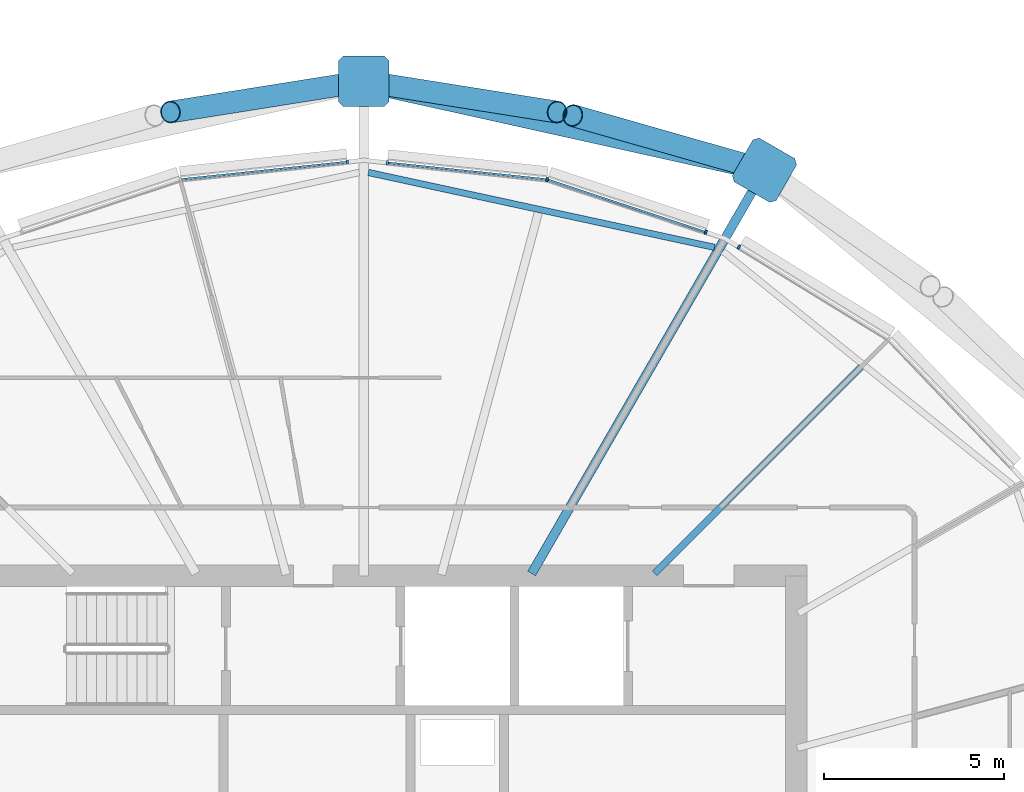
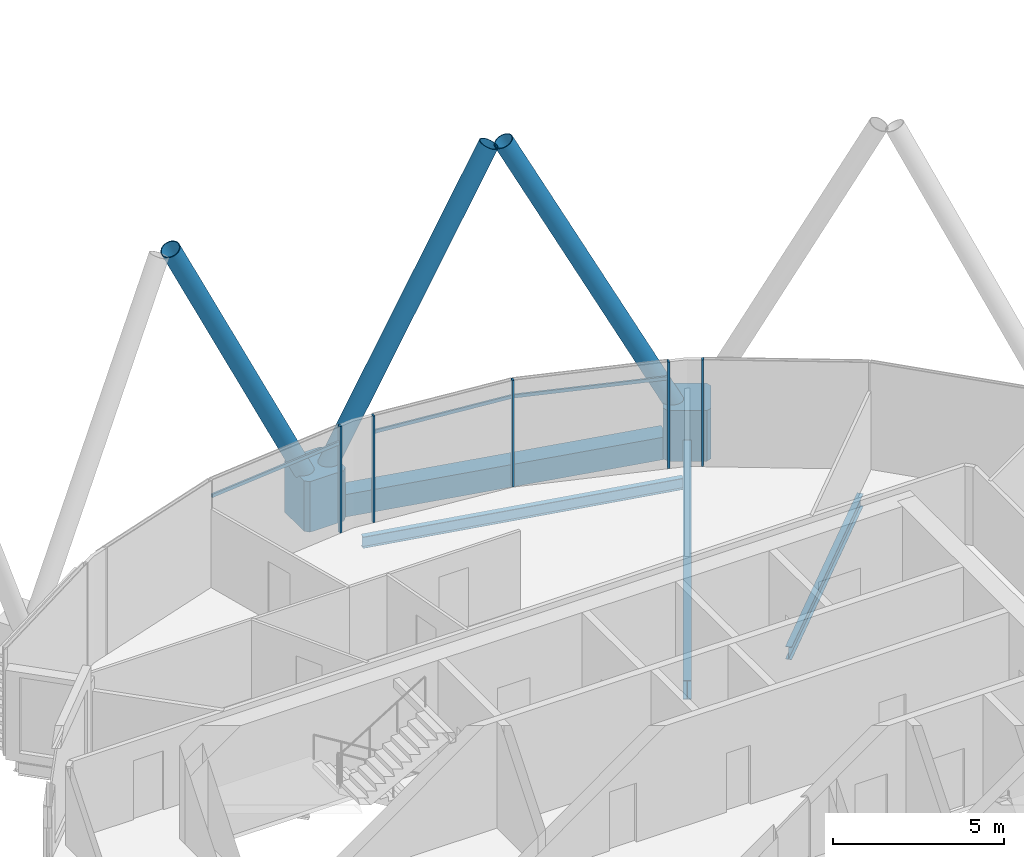
# One storey, part 11 of 35: 13 members, 4 beams, 1 element without a shape of its own.
"""IFC4 building model written with IfcOpenShell, lengths in metres."""

from ifc_helpers import new_model, si_unit, direction, frame, origin, origin_2d, place, context, subcontext, project, spatial, polyline, rectangle, hollow_rectangle, hollow_circle, i_section, outline, extrude, material, material_profile, profile_set, type_object, element, aggregate, save


model = new_model("IFC4")

# Units and contexts
model_context = context("Model", 3, precision=1e-05, world=origin(), true_north=direction((0.0, 1.0)))
body_context = subcontext(model_context, "Body", "Model", "MODEL_VIEW")
ifc_project = project(units=[si_unit("LENGTHUNIT", "METRE"), si_unit("AREAUNIT", "SQUARE_METRE"), si_unit("VOLUMEUNIT", "CUBIC_METRE"), si_unit("PLANEANGLEUNIT", "RADIAN"), si_unit("MASSUNIT", "GRAM", prefix="KILO")], contexts=[model_context])

# Site, building, storey
site_placement = place(None, origin())
site = spatial("IfcSite", under=ifc_project, at=site_placement, CompositionType="ELEMENT")
building_placement = place(site_placement, origin())
building = spatial("IfcBuilding", under=site, at=building_placement, Name="Rimbun Link Towers", CompositionType="ELEMENT")
storey_placement = place(building_placement, frame((0.0, 0.0, 181.699951171875)))
storey = spatial("IfcBuildingStorey", under=building, at=storey_placement, Name="L44", CompositionType="ELEMENT", Elevation=181.699951171875)

# Curtain wall, members
ifc_material_1 = material(Name="Aluminium 6063-T6 and low-iron glass", Category="aluminium")
curtain_wall_type = type_object("IfcCurtainWallType", Name="CW1-Z3 unitised vision wall (zone 3)", PredefinedType="NOTDEFINED", material=ifc_material_1)
curtain_wall_placement = place(storey_placement, origin())
curtain_wall = element("IfcCurtainWall", 1, at=curtain_wall_placement, inside=storey, type_object=curtain_wall_type, Name="CW1 L44 T1", PredefinedType="NOTDEFINED")
ifc_material_2 = material(Name="Aluminium 6063-T6", Category="aluminium")
ifc_material_profile_1 = material_profile(ifc_material_2, rectangle(XDim=0.1201171875, YDim=0.06005859375, at=origin_2d()), Name="MULLION 60X120")
ifc_profile_set_1 = profile_set([ifc_material_profile_1], Name="Aluminium 6063-T6")
member_type_1 = type_object("IfcMemberType", Name="CW1 mullion 60X120", PredefinedType="MULLION", material=ifc_profile_set_1)
member_1_placement = place(storey_placement, frame((-21.345947265625, 17.1171875, 0.0), z_axis=(0.0, 0.0, 1.0), x_axis=(0.523234516531, 0.852188735381, 0.0)))
member_1 = element("IfcMember", 2, at=member_1_placement, type_object=member_type_1, Name="CW1 mullion", PredefinedType="MULLION", context=body_context, shape_type="SweptSolid", body=[
    extrude(rectangle(XDim=0.1201171875, YDim=0.06005859375, at=origin_2d()), origin(), (0.0, 0.0, 1.0), 3.800048828125),
])
member_2_placement = place(storey_placement, frame((-26.664794921875, 18.989501953125, 0.0), z_axis=(0.0, 0.0, 1.0), x_axis=(0.210876961602, 0.977512612228, 0.0)))
member_2 = element("IfcMember", 3, at=member_2_placement, type_object=member_type_1, Name="CW1 mullion", PredefinedType="MULLION", context=body_context, shape_type="SweptSolid", body=[
    extrude(rectangle(XDim=0.1201171875, YDim=0.06005859375, at=origin_2d()), origin(), (0.0, 0.0, 1.0), 3.800048828125),
])
member_3_placement = place(storey_placement, frame((-22.26416015625, 17.531494140625, 0.0), z_axis=(0.0, 0.0, 1.0), x_axis=(0.314564968894, 0.949235945561, 0.0)))
member_3 = element("IfcMember", 4, at=member_3_placement, type_object=member_type_1, Name="CW1 mullion", PredefinedType="MULLION", context=body_context, shape_type="SweptSolid", body=[
    extrude(rectangle(XDim=0.1201171875, YDim=0.06005859375, at=origin_2d()), origin(), (0.0, 0.0, 1.0), 3.800048828125),
])
member_4_placement = place(storey_placement, frame((-31.097412109375, 19.456787109375, 0.0), z_axis=(0.0, 0.0, 1.0), x_axis=(0.104753162451, 0.994498252868, 0.0)))
member_4 = element("IfcMember", 5, at=member_4_placement, type_object=member_type_1, Name="CW1 mullion", PredefinedType="MULLION", context=body_context, shape_type="SweptSolid", body=[
    extrude(rectangle(XDim=0.1201171875, YDim=0.06005859375, at=origin_2d()), origin(), (0.0, 0.0, 1.0), 3.800048828125),
])
member_5_placement = place(storey_placement, frame((-32.203857421875, 19.477783203125, 0.0), z_axis=(0.0, 0.0, 1.0), x_axis=(-0.104753162451, 0.994498252868, 0.0)))
member_5 = element("IfcMember", 6, at=member_5_placement, type_object=member_type_1, Name="CW1 mullion", PredefinedType="MULLION", context=body_context, shape_type="SweptSolid", body=[
    extrude(rectangle(XDim=0.1201171875, YDim=0.06005859375, at=origin_2d()), origin(), (0.0, 0.0, 1.0), 3.800048828125),
])
ifc_material_3 = material(Name="Aluminium 6063-T6", Category="aluminium")
ifc_material_profile_2 = material_profile(ifc_material_3, rectangle(XDim=0.06005859375, YDim=0.1201171875, at=origin_2d()), Name="TRANSOM 60X120")
ifc_profile_set_2 = profile_set([ifc_material_profile_2], Name="Aluminium 6063-T6")
member_type_2 = type_object("IfcMemberType", Name="CW1 transom 60X120", PredefinedType="USERDEFINED", material=ifc_profile_set_2)
member_6_placement = place(storey_placement, frame((-26.630859375, 18.9765625, 3.199951171875), z_axis=(0.949232156623, -0.314576402218, 0.0), x_axis=(0.314576402218, 0.949232156623, 0.0)))
member_6 = element("IfcMember", 7, at=member_6_placement, type_object=member_type_2, Name="CW1 transom", ObjectType="TRANSOM", PredefinedType="USERDEFINED", context=body_context, shape_type="SweptSolid", body=[
    extrude(rectangle(XDim=0.06005859375, YDim=0.1201171875, at=origin_2d()), origin(), (0.0, 0.0, 1.0), 4.569580078125),
])
member_7_placement = place(storey_placement, frame((-31.067626953125, 19.45166015625, 3.199951171875), z_axis=(0.994497528249, -0.104760041556, 0.0), x_axis=(0.104760041556, 0.994497528249, 0.0)))
member_7 = element("IfcMember", 8, at=member_7_placement, type_object=member_type_2, Name="CW1 transom", ObjectType="TRANSOM", PredefinedType="USERDEFINED", context=body_context, shape_type="SweptSolid", body=[
    extrude(rectangle(XDim=0.06005859375, YDim=0.1201171875, at=origin_2d()), origin(), (0.0, 0.0, 1.0), 4.390625),
])
member_8_placement = place(storey_placement, frame((-36.798828125, 18.99169921875, 3.199951171875), z_axis=(0.994496707266, 0.104767834937, 0.0), x_axis=(-0.104767834937, 0.994496707266, 0.0)))
member_8 = element("IfcMember", 9, at=member_8_placement, type_object=member_type_2, Name="CW1 transom", ObjectType="TRANSOM", PredefinedType="USERDEFINED", context=body_context, shape_type="SweptSolid", body=[
    extrude(rectangle(XDim=0.06005859375, YDim=0.1201171875, at=origin_2d()), origin(), (0.0, 0.0, 1.0), 4.590576171875),
])
aggregate(curtain_wall, [member_1, member_2, member_3, member_4, member_5, member_6, member_7, member_8])

# Members
ifc_material_4 = material(Name="Steel S355J2H", Category="steel")
ifc_material_profile_3 = material_profile(ifc_material_4, hollow_circle(Radius=0.3046875, WallThickness=0.02490234375, at=origin_2d()), Name="Diagrid diagonal CHS 610x25")
ifc_profile_set_3 = profile_set([ifc_material_profile_3], Name="Steel S355J2H")
member_type_3 = type_object("IfcMemberType", Name="Diagrid diagonal CHS 610x25", PredefinedType="BRACE", material=ifc_profile_set_3)
member_9_placement = place(storey_placement, frame((-20.8525390625, 19.31201171875, 0.446533203125), z_axis=(-0.433306830966, 0.123609335331, 0.892729478878), x_axis=(-0.274325893764, -0.961636783828, 0.0)))
element("IfcMember", 10, at=member_9_placement, inside=storey, type_object=member_type_3, Name="Diagrid diagonal T1 L44-L47 04b", PredefinedType="BRACE", context=body_context, shape_type="SweptSolid", body=[
    extrude(hollow_circle(Radius=0.3046875, WallThickness=0.02490234375, at=origin_2d()), origin(), (0.0, 0.0, 1.0), 11.76953125),
])
for number, where, z_axis, x_axis, name in (
    (11, (-31.53076171875, 21.680419921875, 0.447998046875), (0.438638699179, -0.069698239943, 0.89595660996), (0.156927973686, 0.987610050108, 0.0), "Diagrid diagonal T1 L44-L47 06a"),
    (12, (-31.96923828125, 21.680419921875, 0.447998046875), (-0.438638699179, -0.069698239943, 0.89595660996), (0.156927973686, -0.987610050108, 0.0), "Diagrid diagonal T1 L44-L47 06b"),
):
    element("IfcMember", number, at=place(storey_placement, frame(where, z_axis=z_axis, x_axis=x_axis)), inside=storey, type_object=member_type_3, Name=name, PredefinedType="BRACE", context=body_context, shape_type="SweptSolid", body=[
        extrude(hollow_circle(Radius=0.3046875, WallThickness=0.02490234375, at=origin_2d()), origin(), (0.0, 0.0, 1.0), 11.723876953125),
    ])
ifc_material_5 = material(Name="Cast steel G20Mn5+QT, Rp0.2 300 MPa", Category="steel")
ifc_material_profile_4 = material_profile(ifc_material_5, outline(polyline([(0.699951171875, -0.570068359375), (0.699951171875, 0.570068359375), (0.570068359375, 0.699951171875), (-0.570068359375, 0.699951171875), (-0.699951171875, 0.570068359375), (-0.699951171875, -0.570068359375), (-0.570068359375, -0.699951171875), (0.570068359375, -0.699951171875), (0.699951171875, -0.570068359375)])), Name="NODE 1400x1400")
ifc_profile_set_4 = profile_set([ifc_material_profile_4], Name="Cast steel G20Mn5+QT, Rp0.2 300 MPa")
member_type_4 = type_object("IfcMemberType", Name="Diagrid node cast 1400", PredefinedType="USERDEFINED", material=ifc_profile_set_4)
for number, where, z_axis, x_axis, name in (
    (13, (-20.635986328125, 19.250244140625, -0.89990234375), (0.0, 0.0, 1.0), (0.5, 0.866025403784, 0.0), "Diagrid node L44 04"),
    (14, (-31.75, 21.715087890625, -0.89990234375), (0.0, 0.0, 1.0), (0.0, 1.0, 0.0), "Diagrid node L44 06"),
):
    element("IfcMember", number, at=place(storey_placement, frame(where, z_axis=z_axis, x_axis=x_axis)), inside=storey, type_object=member_type_4, Name=name, ObjectType="Diagrid node", PredefinedType="USERDEFINED", context=body_context, shape_type="SweptSolid", body=[
        extrude(outline(polyline([(0.699951171875, -0.570068359375), (0.699951171875, 0.570068359375), (0.570068359375, 0.699951171875), (-0.570068359375, 0.699951171875), (-0.699951171875, 0.570068359375), (-0.699951171875, -0.570068359375), (-0.570068359375, -0.699951171875), (0.570068359375, -0.699951171875), (0.699951171875, -0.570068359375)])), origin(), (0.0, 0.0, 1.0), 1.800048828125),
    ])

# Beams
ifc_material_6 = material(Name="Steel S355J2", Category="steel")
ifc_material_profile_5 = material_profile(ifc_material_6, hollow_rectangle(XDim=0.60009765625, YDim=0.800048828125, WallThickness=0.0400390625, at=origin_2d()), Name="Exoskeleton ring girder BOX 600x800x40")
ifc_profile_set_5 = profile_set([ifc_material_profile_5], Name="Steel S355J2")
beam_type_1 = type_object("IfcBeamType", Name="Exoskeleton ring girder BOX 600x800x40", PredefinedType="BEAM", material=ifc_profile_set_5)
beam_1_placement = place(storey_placement, frame((-21.3193359375, 19.40185546875, -0.56005859375), z_axis=(-0.976276158322, 0.216529126661, 0.0), x_axis=(-0.216529126661, -0.976276158322, 0.0)))
element("IfcBeam", 15, at=beam_1_placement, inside=storey, type_object=beam_type_1, Name="Exoskeleton ring girder L44 02", PredefinedType="BEAM", context=body_context, shape_type="SweptSolid", body=[
    extrude(hollow_rectangle(XDim=0.60009765625, YDim=0.800048828125, WallThickness=0.0400390625, at=origin_2d()), origin(), (0.0, 0.0, 1.0), 9.984130859375),
])
ifc_material_7 = material(Name="Steel S355J2", Category="steel")
ifc_material_profile_6 = material_profile(ifc_material_7, i_section(OverallWidth=0.177978515625, OverallDepth=0.406494140625, WebThickness=0.0078125, FlangeThickness=0.0126953125, at=origin_2d()), Name="UB 406x178x60")
ifc_profile_set_6 = profile_set([ifc_material_profile_6], Name="Steel S355J2")
beam_type_2 = type_object("IfcBeamType", Name="UB 406x178x60", PredefinedType="BEAM", material=ifc_profile_set_6)
beam_2_placement = place(storey_placement, frame((-22.019775390625, 17.10888671875, -0.353271484375), z_axis=(-0.977389603909, 0.211446357665, 0.0), x_axis=(-0.211446357665, -0.977389603909, 0.0)))
element("IfcBeam", 16, at=beam_2_placement, inside=storey, type_object=beam_type_2, Name="Edge beam T1 L44 04-06", PredefinedType="BEAM", context=body_context, shape_type="SweptSolid", body=[
    extrude(i_section(OverallWidth=0.177978515625, OverallDepth=0.406494140625, WebThickness=0.0078125, FlangeThickness=0.0126953125, at=origin_2d()), origin(), (0.0, 0.0, 1.0), 9.82470703125),
])
ifc_material_8 = material(Name="Steel S355J2", Category="steel")
ifc_material_profile_7 = material_profile(ifc_material_8, i_section(OverallWidth=0.18994140625, OverallDepth=0.453369140625, WebThickness=0.008544921875, FlangeThickness=0.0126953125, at=origin_2d()), Name="UB 457x191x67")
ifc_profile_set_7 = profile_set([ifc_material_profile_7], Name="Steel S355J2")
beam_type_3 = type_object("IfcBeamType", Name="UB 457x191x67", PredefinedType="BEAM", material=ifc_profile_set_7)
beam_3_placement = place(storey_placement, frame((-23.68212890625, 8.06787109375, -0.376708984375), z_axis=(0.707106781187, 0.707106781187, 0.0), x_axis=(-0.707106781187, 0.707106781187, 0.0)))
element("IfcBeam", 17, at=beam_3_placement, inside=storey, type_object=beam_type_3, Name="Radial beam T1 L44 03", PredefinedType="BEAM", context=body_context, shape_type="SweptSolid", body=[
    extrude(i_section(OverallWidth=0.18994140625, OverallDepth=0.453369140625, WebThickness=0.008544921875, FlangeThickness=0.0126953125, at=origin_2d()), origin(), (0.0, 0.0, 1.0), 8.094482421875),
])
ifc_material_9 = material(Name="Steel S355J2", Category="steel")
ifc_material_profile_8 = material_profile(ifc_material_9, i_section(OverallWidth=0.253662109375, OverallDepth=0.68359375, WebThickness=0.012451171875, FlangeThickness=0.01904296875, at=origin_2d()), Name="UB 686x254x140")
ifc_profile_set_8 = profile_set([ifc_material_profile_8], Name="Steel S355J2")
beam_type_4 = type_object("IfcBeamType", Name="UB 686x254x140", PredefinedType="BEAM", material=ifc_profile_set_8)
beam_4_placement = place(storey_placement, frame((-27.093994140625, 8.064208984375, -0.49169921875), z_axis=(0.499987977232, 0.866032345022, 0.0), x_axis=(-0.866032345022, 0.499987977232, 0.0)))
element("IfcBeam", 18, at=beam_4_placement, inside=storey, type_object=beam_type_4, Name="Radial beam T1 L44 04", PredefinedType="BEAM", context=body_context, shape_type="SweptSolid", body=[
    extrude(i_section(OverallWidth=0.253662109375, OverallDepth=0.68359375, WebThickness=0.012451171875, FlangeThickness=0.01904296875, at=origin_2d()), origin(), (0.0, 0.0, 1.0), 12.416259765625),
])

save(model, "model.ifc")
